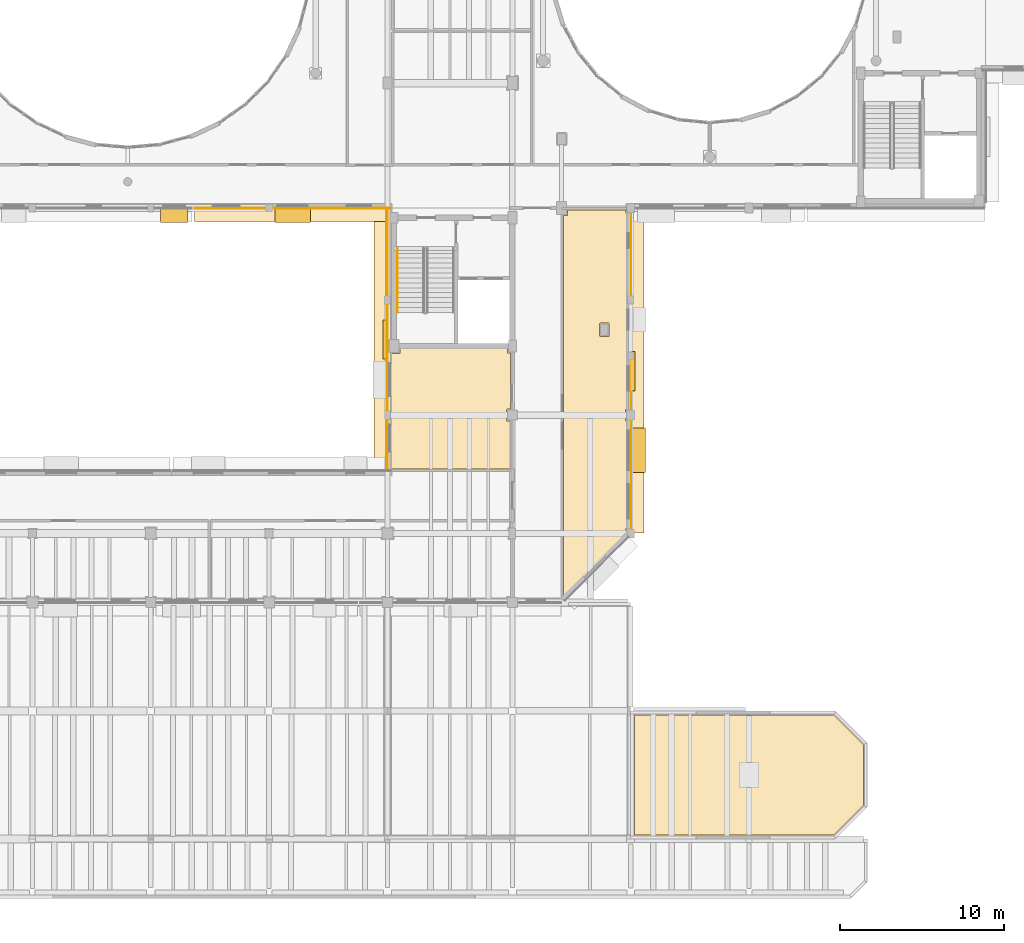
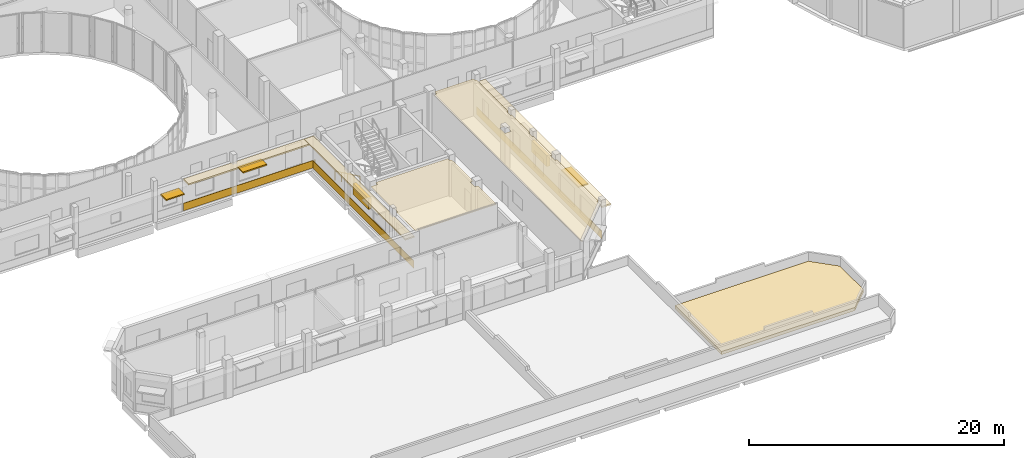
# One storey, part 93 of 105: 9 coverings, 5 shading devices, 1 railing.
"""IFC4 building model written with IfcOpenShell, lengths in metres."""

import ifcopenshell
import ifcopenshell.guid

model = None  # the IFC model being written
_history = None  # IfcOwnerHistory: only IFC2X3 demands one
_inside = {}  # id of a spatial element -> (the spatial element, [elements in it])
_under = {}  # id of a project, library or spatial element -> (it, [spatial elements below it])
_declared = {}  # id of a project -> (the project, [libraries it declares])
_typed = {}  # id of a type object -> (the type object, [elements of that type])
_made_of = {}  # id of a material, layer set ... -> (it, [elements and type objects made of it])


def new_model(schema):
    """Start an empty IFC model of exactly this schema.

    Asked for "IFC4X3", IfcOpenShell would pick the latest addendum, in which some entities
    have other attributes; the version numbers below select the first issue.
    IFC2X3 requires an IfcOwnerHistory on every rooted entity: one is made here for all.
    """
    global model, _history
    if schema == "IFC4X3":
        model = ifcopenshell.file(schema_version=(4, 3, 0, 0))
    else:
        model = ifcopenshell.file(schema=schema)
    _inside.clear()
    _under.clear()
    _declared.clear()
    _typed.clear()
    _made_of.clear()
    _history = None
    if model.schema == "IFC2X3":
        org = make("IfcOrganization", Name="unknown")
        user = make(
            "IfcPersonAndOrganization",
            ThePerson=make("IfcPerson", FamilyName="unknown"),
            TheOrganization=org,
        )
        app = make(
            "IfcApplication",
            ApplicationDeveloper=org,
            Version="unknown",
            ApplicationFullName="unknown",
            ApplicationIdentifier="unknown",
        )
        _history = make(
            "IfcOwnerHistory",
            OwningUser=user,
            OwningApplication=app,
            ChangeAction="ADDED",
            CreationDate=0,
        )
    return model


def make(cls, **values):
    """One entity of the class cls with the attributes given. An attribute that is None is left unset."""
    return model.create_entity(
        cls, **{name: value for name, value in values.items() if value is not None}
    )


def rooted(cls, **values):
    """An entity with a GlobalId (a new one), such as an element, a storey or a relation."""
    return make(cls, GlobalId=ifcopenshell.guid.new(), OwnerHistory=_history, **values)


def si_unit(unit_type, name, prefix=None):
    """IfcSIUnit, for example si_unit("LENGTHUNIT", "METRE", prefix="MILLI")."""
    return make("IfcSIUnit", UnitType=unit_type, Prefix=prefix, Name=name)


def assignment(units):
    """IfcUnitAssignment: the units of a project."""
    return None if units is None else make("IfcUnitAssignment", Units=units)


def point(xyz):
    """IfcCartesianPoint."""
    return None if xyz is None else make("IfcCartesianPoint", Coordinates=xyz)


def direction(xyz):
    """IfcDirection."""
    return None if xyz is None else make("IfcDirection", DirectionRatios=xyz)


def frame(location, z_axis=None, x_axis=None):
    """IfcAxis2Placement3D, a coordinate frame: its origin and axes. An axis left out is left unset."""
    return make(
        "IfcAxis2Placement3D",
        Location=point(location),
        Axis=direction(z_axis),
        RefDirection=direction(x_axis),
    )


def frame_2d(location, x_axis=None):
    """IfcAxis2Placement2D, a coordinate frame in the plane: its origin and x axis."""
    return make(
        "IfcAxis2Placement2D", Location=point(location), RefDirection=direction(x_axis)
    )


def origin():
    """The frame at (0, 0, 0) with its axes left unset."""
    return frame((0.0, 0.0, 0.0))


def origin_2d():
    """The frame at (0, 0) in the plane with its x axis left unset."""
    return frame_2d((0.0, 0.0))


def place(relative_to, where):
    """IfcLocalPlacement: puts the frame where relative to a parent placement (None: the world)."""
    return make(
        "IfcLocalPlacement", PlacementRelTo=relative_to, RelativePlacement=where
    )


def context(
    kind, dimensions, precision=None, world=None, true_north=None, identifier=None
):
    """IfcGeometricRepresentationContext, for example the 3D "Model" context."""
    return make(
        "IfcGeometricRepresentationContext",
        ContextIdentifier=identifier,
        ContextType=kind,
        CoordinateSpaceDimension=dimensions,
        Precision=precision,
        WorldCoordinateSystem=world,
        TrueNorth=true_north,
    )


def subcontext(parent, identifier, kind, view, scale=None):
    """IfcGeometricRepresentationSubContext, for example "Body" below "Model"."""
    return make(
        "IfcGeometricRepresentationSubContext",
        ContextIdentifier=identifier,
        ContextType=kind,
        ParentContext=parent,
        TargetScale=scale,
        TargetView=view,
    )


def project(units=None, contexts=None):
    """IfcProject with its units and contexts."""
    return rooted(
        "IfcProject",
        Name="project",
        RepresentationContexts=contexts,
        UnitsInContext=assignment(units),
    )


def spatial(cls, under=None, at=None, **own):
    """A site, building, storey or space (cls), placed at a placement, below another one or the project."""
    s = rooted(cls, ObjectPlacement=at, **own)
    if under is not None:
        _under.setdefault(under.id(), (under, []))[1].append(s)
    return s


def polyline(points):
    """IfcPolyline through the points."""
    return make("IfcPolyline", Points=[point(p) for p in points])


def profile(cls, at=None, kind="AREA", **sizes):
    """A parametric profile (cls). Its sizes go by their IFC names, for example OverallWidth=200.0."""
    return make(cls, ProfileType=kind, Position=at, **sizes)


def rectangle(**sizes):
    """IfcRectangleProfileDef."""
    return profile("IfcRectangleProfileDef", **sizes)


def circle(**sizes):
    """IfcCircleProfileDef."""
    return profile("IfcCircleProfileDef", **sizes)


def outline(outer, holes=None, kind="AREA"):
    """IfcArbitraryClosedProfileDef: a profile drawn as a closed curve; with holes, ...WithVoids."""
    if holes is None:
        return make("IfcArbitraryClosedProfileDef", ProfileType=kind, OuterCurve=outer)
    return make(
        "IfcArbitraryProfileDefWithVoids",
        ProfileType=kind,
        OuterCurve=outer,
        InnerCurves=holes,
    )


def extrude(swept, where, along, depth):
    """IfcExtrudedAreaSolid: the profile swept, set in the frame where, extruded along a direction by depth."""
    return make(
        "IfcExtrudedAreaSolid",
        SweptArea=swept,
        Position=where,
        ExtrudedDirection=direction(along),
        Depth=depth,
    )


def shape(context_of_items, identifier, shape_type, items):
    """IfcShapeRepresentation: the items that make up one representation, for example the "Body"."""
    return make(
        "IfcShapeRepresentation",
        ContextOfItems=context_of_items,
        RepresentationIdentifier=identifier,
        RepresentationType=shape_type,
        Items=items,
    )


def material(Name=None, Category=None):
    """IfcMaterial."""
    return make("IfcMaterial", Name=Name, Category=Category)


def layer(
    of_material, thickness, ventilated=None, Name=None, Category=None, Priority=None
):
    """IfcMaterialLayer: one layer of a wall or slab, of a material (None: an air gap)."""
    return make(
        "IfcMaterialLayer",
        Material=of_material,
        LayerThickness=thickness,
        IsVentilated=ventilated,
        Name=Name,
        Category=Category,
        Priority=Priority,
    )


def layer_set(layers, Name=None):
    """IfcMaterialLayerSet."""
    return make("IfcMaterialLayerSet", MaterialLayers=layers, LayerSetName=Name)


def made_of(thing, what):
    """Note that an element or type object is made of a material, layer set ...; save() writes the relation."""
    if what is not None:
        _made_of.setdefault(what.id(), (what, []))[1].append(thing)
    return thing


def type_object(cls, material=None, **own):
    """A type object (cls), such as IfcWallType, which elements share."""
    return made_of(rooted(cls, **own), material)


def element(
    cls,
    number,
    at=None,
    inside=None,
    cuts=None,
    type_object=None,
    material=None,
    context=None,
    identifier="Body",
    shape_type=None,
    held_by="IfcProductDefinitionShape",
    body=None,
    shapes=None,
    **own,
):
    """One element of the class cls, such as IfcWall. Its Tag is "e" and its number.

    at: its placement. inside: the storey or other place that contains it. cuts: it is an
    opening in that element (IfcRelVoidsElement). A single representation is given by context,
    identifier, shape_type and body (its items); several are given by shapes. held_by: the class
    of the entity that holds the representations. save() writes the other relations.
    """
    e = rooted(cls, Tag="e%d" % number, ObjectPlacement=at, **own)
    if body is not None:
        shapes = [shape(context, identifier, shape_type, body)]
    if shapes is not None:
        e.Representation = make(held_by, Representations=shapes)
    if inside is not None:
        _inside.setdefault(inside.id(), (inside, []))[1].append(e)
    if cuts is not None:
        rooted(
            "IfcRelVoidsElement", RelatingBuildingElement=cuts, RelatedOpeningElement=e
        )
    if type_object is not None:
        _typed.setdefault(type_object.id(), (type_object, []))[1].append(e)
    return made_of(e, material)


def aggregate(whole, parts):
    """IfcRelAggregates: a whole, such as a stair, and the parts it consists of."""
    return rooted("IfcRelAggregates", RelatingObject=whole, RelatedObjects=parts)


def save(model, path):
    """Write the relations noted so far, then the file.

    IfcRelAggregates (storeys below a building ...), IfcRelContainedInSpatialStructure (elements
    in a storey), IfcRelDefinesByType, IfcRelAssociatesMaterial and IfcRelDeclares: one each for
    every whole, place, type object, material and project.
    """
    for whole, parts in _under.values():
        aggregate(whole, parts)
    for where, things in _inside.values():
        rooted(
            "IfcRelContainedInSpatialStructure",
            RelatedElements=things,
            RelatingStructure=where,
        )
    for kind, things in _typed.values():
        rooted("IfcRelDefinesByType", RelatedObjects=things, RelatingType=kind)
    for what, things in _made_of.values():
        rooted("IfcRelAssociatesMaterial", RelatedObjects=things, RelatingMaterial=what)
    for by, libraries in _declared.values():
        rooted("IfcRelDeclares", RelatingContext=by, RelatedDefinitions=libraries)
    model.write(path)


model = new_model("IFC4")

# Units and contexts
model_context = context("Model", 3, precision=1e-05, world=origin(), true_north=direction((0.0, 1.0)))
body_context = subcontext(model_context, "Body", "Model", "MODEL_VIEW")
ifc_project = project(units=[si_unit("LENGTHUNIT", "METRE"), si_unit("AREAUNIT", "SQUARE_METRE"), si_unit("VOLUMEUNIT", "CUBIC_METRE"), si_unit("PLANEANGLEUNIT", "RADIAN"), si_unit("MASSUNIT", "GRAM", prefix="KILO")], contexts=[model_context])

# Site, building, storey
site_placement = place(None, origin())
site = spatial("IfcSite", under=ifc_project, at=site_placement, CompositionType="ELEMENT")
building_placement = place(site_placement, origin())
building = spatial("IfcBuilding", under=site, at=building_placement, Name="Kelanivale Promenade Academy", CompositionType="ELEMENT")
storey_placement = place(building_placement, frame((0.0, 0.0, 4.199951171875)))
storey = spatial("IfcBuildingStorey", under=building, at=storey_placement, Name="L01", CompositionType="ELEMENT", Elevation=4.199951171875)

# Coverings
ifc_material_1 = material(Name="Warm ivory Art Deco stucco frieze band 40 mm", Category="masonry")
ifc_layer_1 = layer(ifc_material_1, 0.0400390625)
ifc_layer_set_1 = layer_set([ifc_layer_1], Name="Warm ivory Art Deco stucco frieze band 40 mm")
covering_type_1 = type_object("IfcCoveringType", Name="COV-CLD2 Warm ivory Art Deco stucco frieze ba", PredefinedType="CLADDING", material=ifc_layer_set_1)
covering_1_placement = place(storey_placement, frame((94.39990234375, 32.072998046875, 3.01513671875), z_axis=(0.0, 0.0, 1.0), x_axis=(0.0, 1.0, 0.0)))
element("IfcCovering", 1, at=covering_1_placement, inside=storey, type_object=covering_type_1, Name="Art Deco projecting 820 mm streamline sunshade eyebrow ledge", PredefinedType="CLADDING", context=body_context, shape_type="SweptSolid", body=[
    extrude(rectangle(XDim=19.694091796875, YDim=0.820068359375, at=origin_2d()), origin(), (0.0, 0.0, 1.0), 0.139892578125),
])
covering_2_placement = place(storey_placement, frame((94.014892578125, 32.072998046875, 0.06005859375), z_axis=(0.0, 0.0, 1.0), x_axis=(0.0, 1.0, 0.0)))
element("IfcCovering", 2, at=covering_2_placement, inside=storey, type_object=covering_type_1, Name="Art Deco ivory stucco sill frieze band", PredefinedType="CLADDING", context=body_context, shape_type="SweptSolid", body=[
    extrude(rectangle(XDim=19.694091796875, YDim=0.0400390625, at=origin_2d()), origin(), (0.0, 0.0, 1.0), 0.719970703125),
])
covering_3_placement = place(storey_placement, frame((73.43408203125, 41.60009765625, 2.96533203125), z_axis=(0.0, 0.0, 1.0), x_axis=(1.0, 0.0, 0.0)))
element("IfcCovering", 3, at=covering_3_placement, inside=storey, type_object=covering_type_1, Name="Art Deco projecting 820 mm streamline sunshade eyebrow ledge", PredefinedType="CLADDING", context=body_context, shape_type="SweptSolid", body=[
    extrude(rectangle(XDim=11.93310546875, YDim=0.820068359375, at=origin_2d()), origin(), (0.0, 0.0, 1.0), 0.139892578125),
])
covering_4_placement = place(storey_placement, frame((73.43408203125, 41.985107421875, 0.06005859375), z_axis=(0.0, 0.0, 1.0), x_axis=(1.0, 0.0, 0.0)))
element("IfcCovering", 4, at=covering_4_placement, inside=storey, type_object=covering_type_1, Name="Art Deco ivory stucco sill frieze band", PredefinedType="CLADDING", context=body_context, shape_type="SweptSolid", body=[
    extrude(rectangle(XDim=11.93310546875, YDim=0.0400390625, at=origin_2d()), origin(), (0.0, 0.0, 1.0), 0.719970703125),
])
covering_5_placement = place(storey_placement, frame((78.800048828125, 34.0, 3.01513671875), z_axis=(0.0, 0.0, 1.0), x_axis=(0.0, -1.0, 0.0)))
element("IfcCovering", 5, at=covering_5_placement, inside=storey, type_object=covering_type_1, Name="Art Deco projecting 820 mm streamline sunshade eyebrow ledge", PredefinedType="CLADDING", context=body_context, shape_type="SweptSolid", body=[
    extrude(rectangle(XDim=15.840087890625, YDim=0.820068359375, at=origin_2d()), origin(), (0.0, 0.0, 1.0), 0.139892578125),
])
covering_6_placement = place(storey_placement, frame((79.18505859375, 34.0, 0.06005859375), z_axis=(0.0, 0.0, 1.0), x_axis=(0.0, -1.0, 0.0)))
element("IfcCovering", 6, at=covering_6_placement, inside=storey, type_object=covering_type_1, Name="Art Deco ivory stucco sill frieze band", PredefinedType="CLADDING", context=body_context, shape_type="SweptSolid", body=[
    extrude(rectangle(XDim=15.840087890625, YDim=0.0400390625, at=origin_2d()), origin(), (0.0, 0.0, 1.0), 0.719970703125),
])
ifc_material_2 = material(Name="Acoustic mineral-fibre ceiling tile 25 mm", Category="gypsum")
ifc_layer_2 = layer(ifc_material_2, 0.02490234375)
ifc_layer_set_2 = layer_set([ifc_layer_2], Name="Acoustic mineral-fibre ceiling tile 25 mm")
covering_type_2 = type_object("IfcCoveringType", Name="COV-CLG1 Acoustic mineral-fibre ceiling tile ", PredefinedType="CEILING", material=ifc_layer_set_2)
covering_7_placement = place(storey_placement, frame((0.0, 0.0, 3.550048828125)))
element("IfcCovering", 7, at=covering_7_placement, inside=storey, type_object=covering_type_2, Name="Admissions and Finance Office acoustic suspended ceiling", PredefinedType="CEILING", context=body_context, shape_type="SweptSolid", body=[
    extrude(outline(polyline([(79.35009765625, 26.110107421875), (86.68994140625, 26.110107421875), (86.68994140625, 29.0400390625), (86.47998046875, 29.0400390625), (86.47607421875, 29.0400390625), (86.471923828125, 29.041015625), (86.468017578125, 29.0419921875), (86.465087890625, 29.04296875), (86.4609375, 29.044921875), (86.4580078125, 29.047119140625), (86.455078125, 29.049072265625), (86.451904296875, 29.052001953125), (86.448974609375, 29.054931640625), (86.447021484375, 29.05810546875), (86.445068359375, 29.06103515625), (86.443115234375, 29.06494140625), (86.44189453125, 29.068115234375), (86.44091796875, 29.072021484375), (86.43994140625, 29.075927734375), (86.43994140625, 29.080078125), (86.43994140625, 29.719970703125), (86.43994140625, 29.72412109375), (86.44091796875, 29.72802734375), (86.44189453125, 29.73193359375), (86.443115234375, 29.735107421875), (86.445068359375, 29.739013671875), (86.447021484375, 29.741943359375), (86.448974609375, 29.7451171875), (86.451904296875, 29.748046875), (86.455078125, 29.7509765625), (86.4580078125, 29.7529296875), (86.4609375, 29.7548828125), (86.465087890625, 29.757080078125), (86.468017578125, 29.758056640625), (86.471923828125, 29.759033203125), (86.47607421875, 29.760009765625), (86.47998046875, 29.760009765625), (86.68994140625, 29.760009765625), (86.68994140625, 33.1650390625), (86.530029296875, 33.1650390625), (86.52587890625, 33.1650390625), (86.52197265625, 33.166015625), (86.51806640625, 33.1669921875), (86.514892578125, 33.16796875), (86.510986328125, 33.169921875), (86.508056640625, 33.172119140625), (86.5048828125, 33.174072265625), (86.501953125, 33.177001953125), (86.4990234375, 33.179931640625), (86.4970703125, 33.18310546875), (86.4951171875, 33.18603515625), (86.492919921875, 33.18994140625), (86.491943359375, 33.193115234375), (86.490966796875, 33.197021484375), (86.489990234375, 33.200927734375), (86.489990234375, 33.205078125), (86.489990234375, 33.43994140625), (79.9599609375, 33.43994140625), (79.9599609375, 33.179931640625), (79.9599609375, 33.176025390625), (79.958984375, 33.172119140625), (79.9580078125, 33.16796875), (79.95703125, 33.1650390625), (79.955078125, 33.160888671875), (79.952880859375, 33.157958984375), (79.950927734375, 33.155029296875), (79.947998046875, 33.152099609375), (79.945068359375, 33.14892578125), (79.94189453125, 33.14697265625), (79.93896484375, 33.14501953125), (79.93505859375, 33.14306640625), (79.931884765625, 33.14208984375), (79.927978515625, 33.14111328125), (79.924072265625, 33.139892578125), (79.919921875, 33.139892578125), (79.35009765625, 33.139892578125), (79.35009765625, 29.7099609375), (79.39501953125, 29.7099609375), (79.39892578125, 29.7099609375), (79.403076171875, 29.708984375), (79.406982421875, 29.7080078125), (79.409912109375, 29.70703125), (79.4140625, 29.705078125), (79.4169921875, 29.702880859375), (79.419921875, 29.700927734375), (79.423095703125, 29.697998046875), (79.426025390625, 29.695068359375), (79.427978515625, 29.69189453125), (79.429931640625, 29.68896484375), (79.431884765625, 29.68505859375), (79.43310546875, 29.681884765625), (79.43408203125, 29.677978515625), (79.43505859375, 29.674072265625), (79.43505859375, 29.669921875), (79.43505859375, 29.1298828125), (79.43505859375, 29.1259765625), (79.43408203125, 29.1220703125), (79.43310546875, 29.117919921875), (79.431884765625, 29.114990234375), (79.429931640625, 29.111083984375), (79.427978515625, 29.10791015625), (79.426025390625, 29.10498046875), (79.423095703125, 29.10205078125), (79.419921875, 29.09912109375), (79.4169921875, 29.096923828125), (79.4140625, 29.094970703125), (79.409912109375, 29.093017578125), (79.406982421875, 29.092041015625), (79.403076171875, 29.091064453125), (79.39892578125, 29.090087890625), (79.39501953125, 29.090087890625), (79.35009765625, 29.090087890625), (79.35009765625, 26.110107421875)])), origin(), (0.0, 0.0, 1.0), 0.02490234375),
])
covering_8_placement = place(storey_placement, frame((0.0, 0.0, 3.550048828125)))
element("IfcCovering", 8, at=covering_8_placement, inside=storey, type_object=covering_type_2, Name="Principal and Pastoral Office acoustic suspended ceiling", PredefinedType="CEILING", context=body_context, shape_type="SweptSolid", body=[
    extrude(outline(polyline([(93.85009765625, 41.6650390625), (93.7548828125, 41.6650390625), (93.7509765625, 41.6650390625), (93.7470703125, 41.666015625), (93.742919921875, 41.6669921875), (93.739990234375, 41.66796875), (93.736083984375, 41.669921875), (93.73291015625, 41.672119140625), (93.72998046875, 41.674072265625), (93.72705078125, 41.677001953125), (93.72412109375, 41.679931640625), (93.721923828125, 41.68310546875), (93.719970703125, 41.68603515625), (93.718017578125, 41.68994140625), (93.717041015625, 41.693115234375), (93.716064453125, 41.697021484375), (93.715087890625, 41.700927734375), (93.715087890625, 41.705078125), (93.715087890625, 41.889892578125), (90.159912109375, 41.889892578125), (90.159912109375, 41.580078125), (90.159912109375, 41.575927734375), (90.158935546875, 41.572021484375), (90.157958984375, 41.568115234375), (90.156982421875, 41.56494140625), (90.155029296875, 41.56103515625), (90.153076171875, 41.55810546875), (90.15087890625, 41.554931640625), (90.14794921875, 41.552001953125), (90.14501953125, 41.549072265625), (90.14208984375, 41.547119140625), (90.138916015625, 41.544921875), (90.135009765625, 41.54296875), (90.132080078125, 41.5419921875), (90.1279296875, 41.541015625), (90.1240234375, 41.5400390625), (90.1201171875, 41.5400390625), (89.909912109375, 41.5400390625), (89.909912109375, 18.26611328125), (93.715087890625, 22.071044921875), (93.715087890625, 22.4951171875), (93.715087890625, 22.4990234375), (93.716064453125, 22.5029296875), (93.717041015625, 22.507080078125), (93.718017578125, 22.510009765625), (93.719970703125, 22.513916015625), (93.721923828125, 22.51708984375), (93.72412109375, 22.52001953125), (93.72705078125, 22.52294921875), (93.72998046875, 22.52587890625), (93.73291015625, 22.528076171875), (93.736083984375, 22.530029296875), (93.739990234375, 22.531982421875), (93.742919921875, 22.532958984375), (93.7470703125, 22.533935546875), (93.7509765625, 22.534912109375), (93.7548828125, 22.534912109375), (93.85009765625, 22.534912109375), (93.85009765625, 29.0400390625), (93.72998046875, 29.0400390625), (93.72607421875, 29.0400390625), (93.721923828125, 29.041015625), (93.718017578125, 29.0419921875), (93.715087890625, 29.04296875), (93.7109375, 29.044921875), (93.7080078125, 29.047119140625), (93.705078125, 29.049072265625), (93.701904296875, 29.052001953125), (93.698974609375, 29.054931640625), (93.697021484375, 29.05810546875), (93.695068359375, 29.06103515625), (93.693115234375, 29.06494140625), (93.69189453125, 29.068115234375), (93.69091796875, 29.072021484375), (93.68994140625, 29.075927734375), (93.68994140625, 29.080078125), (93.68994140625, 29.719970703125), (93.68994140625, 29.72412109375), (93.69091796875, 29.72802734375), (93.69189453125, 29.73193359375), (93.693115234375, 29.735107421875), (93.695068359375, 29.739013671875), (93.697021484375, 29.741943359375), (93.698974609375, 29.7451171875), (93.701904296875, 29.748046875), (93.705078125, 29.7509765625), (93.7080078125, 29.7529296875), (93.7109375, 29.7548828125), (93.715087890625, 29.757080078125), (93.718017578125, 29.758056640625), (93.721923828125, 29.759033203125), (93.72607421875, 29.760009765625), (93.72998046875, 29.760009765625), (93.85009765625, 29.760009765625), (93.85009765625, 32.68994140625), (93.804931640625, 32.68994140625), (93.801025390625, 32.68994140625), (93.797119140625, 32.69091796875), (93.79296875, 32.69189453125), (93.7900390625, 32.693115234375), (93.785888671875, 32.695068359375), (93.782958984375, 32.697021484375), (93.780029296875, 32.698974609375), (93.777099609375, 32.701904296875), (93.77392578125, 32.705078125), (93.77197265625, 32.7080078125), (93.77001953125, 32.7109375), (93.76806640625, 32.715087890625), (93.76708984375, 32.718017578125), (93.76611328125, 32.721923828125), (93.764892578125, 32.72607421875), (93.764892578125, 32.72998046875), (93.764892578125, 33.27001953125), (93.764892578125, 33.27392578125), (93.76611328125, 33.278076171875), (93.76708984375, 33.281982421875), (93.76806640625, 33.284912109375), (93.77001953125, 33.2890625), (93.77197265625, 33.2919921875), (93.77392578125, 33.294921875), (93.777099609375, 33.298095703125), (93.780029296875, 33.301025390625), (93.782958984375, 33.302978515625), (93.785888671875, 33.304931640625), (93.7900390625, 33.306884765625), (93.79296875, 33.30810546875), (93.797119140625, 33.30908203125), (93.801025390625, 33.31005859375), (93.804931640625, 33.31005859375), (93.85009765625, 33.31005859375), (93.85009765625, 36.090087890625), (93.780029296875, 36.090087890625), (93.77587890625, 36.090087890625), (93.77197265625, 36.091064453125), (93.76806640625, 36.092041015625), (93.764892578125, 36.093017578125), (93.760986328125, 36.094970703125), (93.758056640625, 36.096923828125), (93.7548828125, 36.09912109375), (93.751953125, 36.10205078125), (93.7490234375, 36.10498046875), (93.7470703125, 36.10791015625), (93.7451171875, 36.111083984375), (93.742919921875, 36.114990234375), (93.741943359375, 36.117919921875), (93.740966796875, 36.1220703125), (93.739990234375, 36.1259765625), (93.739990234375, 36.1298828125), (93.739990234375, 36.669921875), (93.739990234375, 36.674072265625), (93.740966796875, 36.677978515625), (93.741943359375, 36.681884765625), (93.742919921875, 36.68505859375), (93.7451171875, 36.68896484375), (93.7470703125, 36.69189453125), (93.7490234375, 36.695068359375), (93.751953125, 36.697998046875), (93.7548828125, 36.700927734375), (93.758056640625, 36.702880859375), (93.760986328125, 36.705078125), (93.764892578125, 36.70703125), (93.76806640625, 36.7080078125), (93.77197265625, 36.708984375), (93.77587890625, 36.7099609375), (93.780029296875, 36.7099609375), (93.85009765625, 36.7099609375), (93.85009765625, 41.6650390625)]), holes=[polyline([(92.68505859375, 34.22998046875), (92.68505859375, 34.22607421875), (92.68408203125, 34.221923828125), (92.68310546875, 34.218017578125), (92.681884765625, 34.215087890625), (92.679931640625, 34.2109375), (92.677978515625, 34.2080078125), (92.676025390625, 34.205078125), (92.673095703125, 34.201904296875), (92.669921875, 34.198974609375), (92.6669921875, 34.197021484375), (92.6640625, 34.195068359375), (92.659912109375, 34.193115234375), (92.656982421875, 34.19189453125), (92.653076171875, 34.19091796875), (92.64892578125, 34.18994140625), (92.64501953125, 34.18994140625), (92.155029296875, 34.18994140625), (92.15087890625, 34.18994140625), (92.14697265625, 34.19091796875), (92.14306640625, 34.19189453125), (92.139892578125, 34.193115234375), (92.135986328125, 34.195068359375), (92.133056640625, 34.197021484375), (92.1298828125, 34.198974609375), (92.126953125, 34.201904296875), (92.1240234375, 34.205078125), (92.1220703125, 34.2080078125), (92.1201171875, 34.2109375), (92.117919921875, 34.215087890625), (92.116943359375, 34.218017578125), (92.115966796875, 34.221923828125), (92.114990234375, 34.22607421875), (92.114990234375, 34.22998046875), (92.114990234375, 34.969970703125), (92.114990234375, 34.97412109375), (92.115966796875, 34.97802734375), (92.116943359375, 34.98193359375), (92.117919921875, 34.985107421875), (92.1201171875, 34.989013671875), (92.1220703125, 34.991943359375), (92.1240234375, 34.9951171875), (92.126953125, 34.998046875), (92.1298828125, 35.0009765625), (92.133056640625, 35.0029296875), (92.135986328125, 35.0048828125), (92.139892578125, 35.007080078125), (92.14306640625, 35.008056640625), (92.14697265625, 35.009033203125), (92.15087890625, 35.010009765625), (92.155029296875, 35.010009765625), (92.64501953125, 35.010009765625), (92.64892578125, 35.010009765625), (92.653076171875, 35.009033203125), (92.656982421875, 35.008056640625), (92.659912109375, 35.007080078125), (92.6640625, 35.0048828125), (92.6669921875, 35.0029296875), (92.669921875, 35.0009765625), (92.673095703125, 34.998046875), (92.676025390625, 34.9951171875), (92.677978515625, 34.991943359375), (92.679931640625, 34.989013671875), (92.681884765625, 34.985107421875), (92.68310546875, 34.98193359375), (92.68408203125, 34.97802734375), (92.68505859375, 34.97412109375), (92.68505859375, 34.969970703125), (92.68505859375, 34.22998046875)])]), origin(), (0.0, 0.0, 1.0), 0.02490234375),
])
ifc_material_3 = material(Name="Extensive tropical planted green-roof substrate 300 mm", Category="masonry")
ifc_layer_3 = layer(ifc_material_3, 0.300048828125)
ifc_layer_set_3 = layer_set([ifc_layer_3], Name="Extensive tropical planted green-roof substrate 300 mm")
covering_type_3 = type_object("IfcCoveringType", Name="COV-RFG2 Extensive tropical planted green-roo", PredefinedType="ROOFING", material=ifc_layer_set_3)
covering_9_placement = place(storey_placement, origin())
element("IfcCovering", 9, at=covering_9_placement, inside=storey, type_object=covering_type_3, Name="L01 planted green-roof substrate", PredefinedType="ROOFING", context=body_context, shape_type="SweptSolid", body=[
    extrude(outline(polyline([(106.346923828125, 3.840087890625), (108.159912109375, 5.653076171875), (108.159912109375, 9.346923828125), (106.346923828125, 11.159912109375), (94.239990234375, 11.159912109375), (94.239990234375, 3.840087890625), (106.346923828125, 3.840087890625)])), origin(), (0.0, 0.0, 1.0), 0.300048828125),
])

# Railing
ifc_material_4 = material(Name="Brushed stainless steel grade 316", Category="steel")
railing_type = type_object("IfcRailingType", Name="HR-01 Pitch Handrail 900mm", PredefinedType="HANDRAIL", material=ifc_material_4)
railing_placement = place(storey_placement, frame((79.81494140625, 39.544921875, 0.142822265625)))
element("IfcRailing", 10, at=railing_placement, inside=storey, type_object=railing_type, Name="L01 ST-01 stair handrail 1", PredefinedType="HANDRAIL", context=body_context, shape_type="SweptSolid", body=[
    extrude(circle(Radius=0.02392578125, at=origin_2d()), frame((0.0, 0.0, 0.8759765625), z_axis=(0.0, -0.902853205547, 0.429948937937), x_axis=(1.0, 0.0, 0.0)), (0.0, 0.0, 1.0), 4.319580078125),
    extrude(circle(Radius=0.02099609375, at=origin_2d()), origin(), (0.0, 0.0, 1.0), 0.851806640625),
    extrude(circle(Radius=0.02099609375, at=origin_2d()), frame((0.0, -0.97509765625, 0.46435546875)), (0.0, 0.0, 1.0), 0.851806640625),
    extrude(circle(Radius=0.02099609375, at=origin_2d()), frame((0.0, -1.949951171875, 0.9287109375)), (0.0, 0.0, 1.0), 0.851806640625),
    extrude(circle(Radius=0.02099609375, at=origin_2d()), frame((0.0, -2.9248046875, 1.392822265625)), (0.0, 0.0, 1.0), 0.851806640625),
    extrude(circle(Radius=0.02099609375, at=origin_2d()), frame((0.0, -3.89990234375, 1.857177734375)), (0.0, 0.0, 1.0), 0.851806640625),
])

# Shading devices
ifc_material_5 = material(Name="Precast concrete C40/50", Category="concrete")
ifc_layer_4 = layer(ifc_material_5, 0.1201171875)
ifc_layer_set_4 = layer_set([ifc_layer_4], Name="Precast concrete C40/50")
shading_device_type_1 = type_object("IfcShadingDeviceType", Name="SHD-01 Art Deco Sunshade Eyebrow 900mm", PredefinedType="USERDEFINED", material=ifc_layer_set_4)
shading_device_1_placement = place(storey_placement, frame((94.43994140625, 27.251953125, 2.7099609375), z_axis=(0.0, 0.0, 1.0), x_axis=(0.0, 1.0, 0.0)))
element("IfcShadingDevice", 11, at=shading_device_1_placement, inside=storey, type_object=shading_device_type_1, Name="Art Deco 900 mm precast chajja window sunshade", ObjectType="SUNSHADE", PredefinedType="USERDEFINED", context=body_context, shape_type="SweptSolid", body=[
    extrude(rectangle(XDim=2.699951171875, YDim=0.89990234375, at=origin_2d()), origin(), (0.0, 0.0, 1.0), 0.1201171875),
])
shading_device_2_placement = place(storey_placement, frame((66.220947265625, 41.56005859375, 2.260009765625), z_axis=(0.0, 0.0, 1.0), x_axis=(1.0, 0.0, 0.0)))
element("IfcShadingDevice", 12, at=shading_device_2_placement, inside=storey, type_object=shading_device_type_1, Name="Art Deco 900 mm precast chajja window sunshade", ObjectType="SUNSHADE", PredefinedType="USERDEFINED", context=body_context, shape_type="SweptSolid", body=[
    extrude(rectangle(XDim=1.64990234375, YDim=0.89990234375, at=origin_2d()), origin(), (0.0, 0.0, 1.0), 0.1201171875),
])
shading_device_3_placement = place(storey_placement, frame((73.43408203125, 41.56005859375, 2.4599609375), z_axis=(0.0, 0.0, 1.0), x_axis=(1.0, 0.0, 0.0)))
element("IfcShadingDevice", 13, at=shading_device_3_placement, inside=storey, type_object=shading_device_type_1, Name="Art Deco 900 mm precast chajja window sunshade", ObjectType="SUNSHADE", PredefinedType="USERDEFINED", context=body_context, shape_type="SweptSolid", body=[
    extrude(rectangle(XDim=2.14990234375, YDim=0.89990234375, at=origin_2d()), origin(), (0.0, 0.0, 1.0), 0.1201171875),
])
ifc_material_6 = material(Name="Bronze anodised aluminium EN AW-6063 T6", Category="aluminium")
ifc_layer_5 = layer(ifc_material_6, 0.080078125)
ifc_layer_set_5 = layer_set([ifc_layer_5], Name="Bronze anodised aluminium EN AW-6063 T6")
shading_device_type_2 = type_object("IfcShadingDeviceType", Name="SHD-02 Perforated Brise-Soleil Screen", PredefinedType="JALOUSIE", material=ifc_layer_set_5)
for number, where, z_axis, x_axis, name in (
    (14, (94.135009765625, 32.072998046875, 1.72509765625), (0.0, 0.0, 1.0), (0.0, 1.0, 0.0), "Perforated Art Deco brise-soleil louvre screen"),
    (15, (79.06494140625, 34.0, 1.72509765625), (0.0, 0.0, 1.0), (0.0, -1.0, 0.0), "Perforated Art Deco brise-soleil louvre screen"),
):
    element("IfcShadingDevice", number, at=place(storey_placement, frame(where, z_axis=z_axis, x_axis=x_axis)), inside=storey, type_object=shading_device_type_2, Name=name, PredefinedType="JALOUSIE", context=body_context, shape_type="SweptSolid", body=[
        extrude(rectangle(XDim=2.39990234375, YDim=0.280029296875, at=origin_2d()), origin(), (0.0, 0.0, 1.0), 1.050048828125),
    ])

save(model, "model.ifc")
